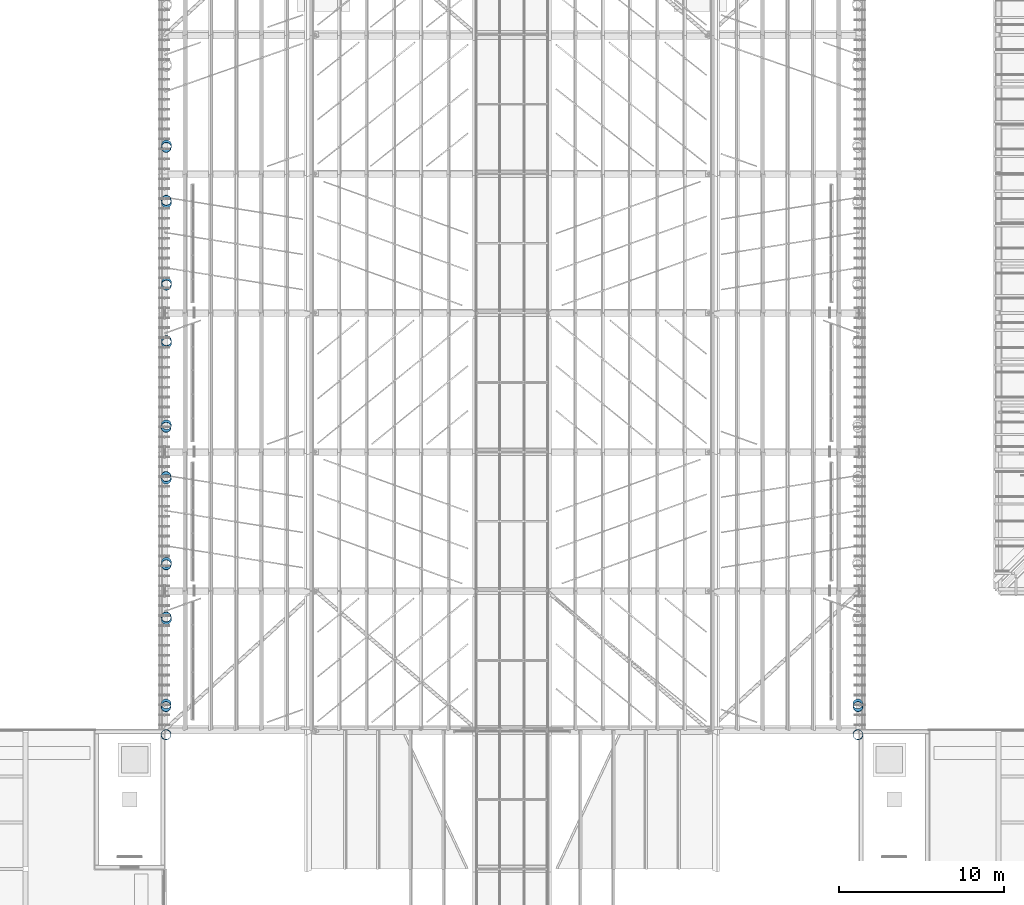
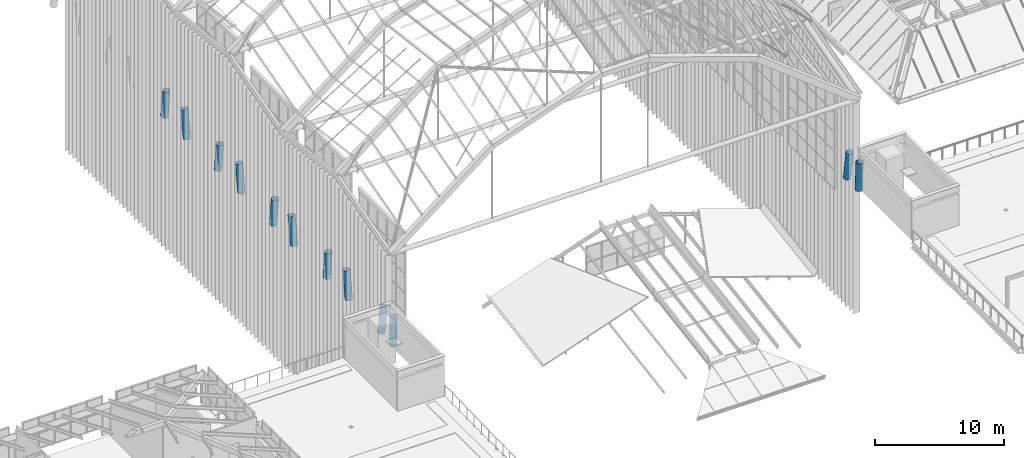
# One storey, part 2 of 126: 12 columns.
"""IFC4 building model written with IfcOpenShell, lengths in metres."""

from ifc_helpers import new_model, si_unit, direction, frame, origin, origin_2d, place, context, subcontext, project, spatial, hollow_circle, extrude, material, material_profile, profile_set, type_object, element, save


model = new_model("IFC4")

# Units and contexts
model_context = context("Model", 3, precision=1e-05, world=origin(), true_north=direction((0.0, 1.0)))
body_context = subcontext(model_context, "Body", "Model", "MODEL_VIEW")
ifc_project = project(units=[si_unit("LENGTHUNIT", "METRE"), si_unit("AREAUNIT", "SQUARE_METRE"), si_unit("VOLUMEUNIT", "CUBIC_METRE"), si_unit("PLANEANGLEUNIT", "RADIAN"), si_unit("MASSUNIT", "GRAM", prefix="KILO")], contexts=[model_context])

# Site, building, storey
site_placement = place(None, origin())
site = spatial("IfcSite", under=ifc_project, at=site_placement, CompositionType="ELEMENT")
building_placement = place(site_placement, origin())
building = spatial("IfcBuilding", under=site, at=building_placement, Name="Sava Quay Ferry Terminal", CompositionType="ELEMENT")
storey_placement = place(building_placement, frame((0.0, 0.0, 15.0)))
storey = spatial("IfcBuildingStorey", under=building, at=storey_placement, Name="L03", CompositionType="ELEMENT", Elevation=15.0)

# Columns
ifc_material = material(Name="Steel S355", Category="steel")
ifc_material_profile = material_profile(ifc_material, hollow_circle(Radius=0.304931640625, WallThickness=0.02001953125, at=origin_2d()), Name="CHS 610 x 20.0")
ifc_profile_set = profile_set([ifc_material_profile], Name="Steel S355")
column_type = type_object("IfcColumnType", Name="V column CHS 610x20", PredefinedType="COLUMN", material=ifc_profile_set)
column_1_placement = place(storey_placement, frame((42.101806640625, 50.12451171875, 0.0), z_axis=(-0.012158788132, -0.016856501729, 0.99978398778), x_axis=(0.811029676143, -0.5850050123, 0.0)))
element("IfcColumn", 1, at=column_1_placement, inside=storey, type_object=column_type, Name="Departure hall V column D-VL0a part 4", PredefinedType="COLUMN", context=body_context, shape_type="SweptSolid", body=[
    extrude(hollow_circle(Radius=0.304931640625, WallThickness=0.02001953125, at=origin_2d()), origin(), (0.0, 0.0, 1.0), 2.650390625),
])
column_2_placement = place(storey_placement, frame((42.101806640625, 51.965087890625, 0.0), z_axis=(-0.012048589616, -0.135364078794, 0.990722664352), x_axis=(0.996062103069, -0.088658258668, 0.0)))
element("IfcColumn", 2, at=column_2_placement, inside=storey, type_object=column_type, Name="Departure hall V column D-VL0b part 4", PredefinedType="COLUMN", context=body_context, shape_type="SweptSolid", body=[
    extrude(hollow_circle(Radius=0.304931640625, WallThickness=0.02001953125, at=origin_2d()), origin(), (0.0, 0.0, 1.0), 2.6748046875),
])
for number, where, z_axis, x_axis, name in (
    (3, (42.119140625, 57.07666015625, 0.0), (-0.010967008389, 0.126029204743, 0.991965908829), (-0.996235164608, -0.086691965013, 0.0), "Departure hall V column D-VL1a part 4"),
    (4, (42.119140625, 60.523193359375, 0.0), (-0.010967134664, -0.12593926306, 0.991977330375), (0.996229729298, -0.086754403132, 0.0), "Departure hall V column D-VL1b part 4"),
):
    element("IfcColumn", number, at=place(storey_placement, frame(where, z_axis=z_axis, x_axis=x_axis)), inside=storey, type_object=column_type, Name=name, PredefinedType="COLUMN", context=body_context, shape_type="SweptSolid", body=[
        extrude(hollow_circle(Radius=0.304931640625, WallThickness=0.02001953125, at=origin_2d()), origin(), (0.0, 0.0, 1.0), 2.67138671875),
    ])
for number, where, z_axis, x_axis, name in (
    (5, (42.11181640625, 65.56103515625, 0.0), (-0.011416397974, 0.131060248746, 0.99130866891), (-0.996227551884, -0.086779403474, 0.0), "Departure hall V column D-VL2a part 4"),
    (6, (42.11181640625, 68.8388671875, 0.0), (-0.011416534582, -0.130970484727, 0.991320530842), (0.996222318402, -0.086839462901, 0.0), "Departure hall V column D-VL2b part 4"),
):
    element("IfcColumn", number, at=place(storey_placement, frame(where, z_axis=z_axis, x_axis=x_axis)), inside=storey, type_object=column_type, Name=name, PredefinedType="COLUMN", context=body_context, shape_type="SweptSolid", body=[
        extrude(hollow_circle(Radius=0.304931640625, WallThickness=0.02001953125, at=origin_2d()), origin(), (0.0, 0.0, 1.0), 2.673095703125),
    ])
for number, where, z_axis, x_axis, name in (
    (7, (42.12744140625, 73.78173828125, 0.0), (-0.010517561585, 0.120357487356, 0.992674899519), (-0.996203571173, -0.087054263438, 0.0), "Departure hall V column D-VL3a part 4"),
    (8, (42.12744140625, 77.418212890625, 0.0), (-0.010517561585, -0.120357487356, 0.992674899519), (0.996203571173, -0.087054263438, 0.0), "Departure hall V column D-VL3b part 4"),
):
    element("IfcColumn", number, at=place(storey_placement, frame(where, z_axis=z_axis, x_axis=x_axis)), inside=storey, type_object=column_type, Name=name, PredefinedType="COLUMN", context=body_context, shape_type="SweptSolid", body=[
        extrude(hollow_circle(Radius=0.304931640625, WallThickness=0.02001953125, at=origin_2d()), origin(), (0.0, 0.0, 1.0), 2.66943359375),
    ])
for number, where, z_axis, x_axis, name in (
    (9, (42.120849609375, 82.25732421875, 0.0), (-0.010877248653, 0.124859845883, 0.992114763698), (-0.996226892799, -0.086786969431, 0.0), "Departure hall V column D-VL4a part 4"),
    (10, (42.120849609375, 85.74267578125, 0.0), (-0.010877248653, -0.124859845883, 0.992114763698), (0.996226892799, -0.086786969431, 0.0), "Departure hall V column D-VL4b part 4"),
):
    element("IfcColumn", number, at=place(storey_placement, frame(where, z_axis=z_axis, x_axis=x_axis)), inside=storey, type_object=column_type, Name=name, PredefinedType="COLUMN", context=body_context, shape_type="SweptSolid", body=[
        extrude(hollow_circle(Radius=0.304931640625, WallThickness=0.02001953125, at=origin_2d()), origin(), (0.0, 0.0, 1.0), 2.6708984375),
    ])
column_3_placement = place(storey_placement, frame((83.898193359375, 50.12451171875, 0.0), z_axis=(0.012158788132, -0.016856501729, 0.99978398778), x_axis=(0.811029676143, 0.5850050123, 0.0)))
element("IfcColumn", 11, at=column_3_placement, inside=storey, type_object=column_type, Name="Departure hall V column D-VR0a part 4", PredefinedType="COLUMN", context=body_context, shape_type="SweptSolid", body=[
    extrude(hollow_circle(Radius=0.304931640625, WallThickness=0.02001953125, at=origin_2d()), origin(), (0.0, 0.0, 1.0), 2.650390625),
])
column_4_placement = place(storey_placement, frame((83.898193359375, 51.965087890625, 0.0), z_axis=(0.012048589616, -0.135364078794, 0.990722664352), x_axis=(0.996062103069, 0.088658258668, 0.0)))
element("IfcColumn", 12, at=column_4_placement, inside=storey, type_object=column_type, Name="Departure hall V column D-VR0b part 4", PredefinedType="COLUMN", context=body_context, shape_type="SweptSolid", body=[
    extrude(hollow_circle(Radius=0.304931640625, WallThickness=0.02001953125, at=origin_2d()), origin(), (0.0, 0.0, 1.0), 2.6748046875),
])

save(model, "model.ifc")
